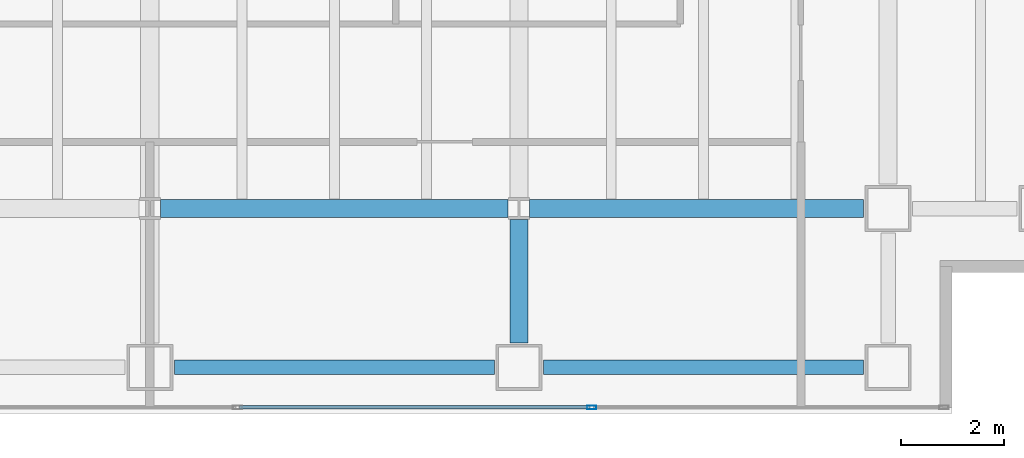
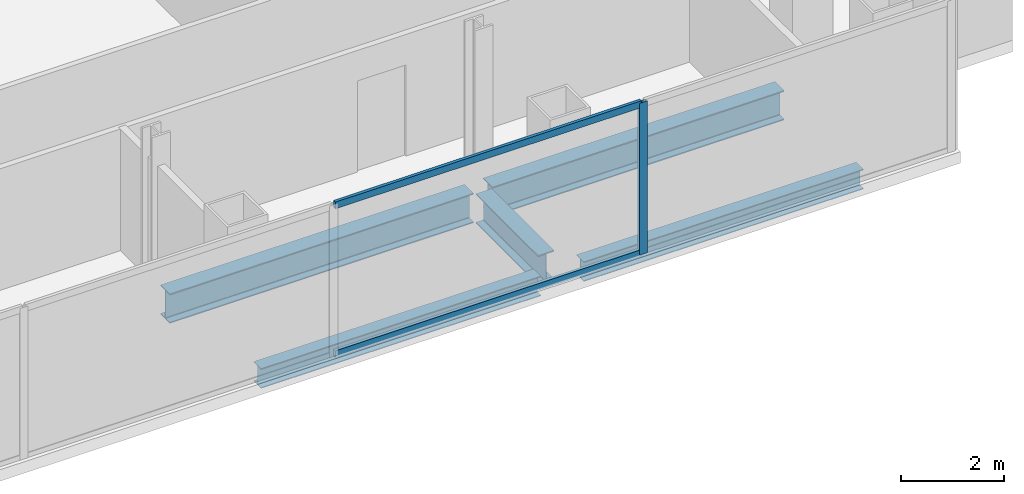
# One storey, part 9 of 23: 5 beams, 3 members, 1 element without a shape of its own.
"""IFC4 building model written with IfcOpenShell, lengths in metres."""

from ifc_helpers import new_model, si_unit, direction, frame, origin, origin_2d, place, context, subcontext, project, spatial, hollow_rectangle, i_section, extrude, material, material_profile, profile_set, type_object, element, aggregate, save


model = new_model("IFC4")

# Units and contexts
model_context = context("Model", 3, precision=1e-05, world=origin(), true_north=direction((0.0, 1.0)))
body_context = subcontext(model_context, "Body", "Model", "MODEL_VIEW")
ifc_project = project(units=[si_unit("LENGTHUNIT", "METRE"), si_unit("AREAUNIT", "SQUARE_METRE"), si_unit("VOLUMEUNIT", "CUBIC_METRE"), si_unit("PLANEANGLEUNIT", "RADIAN"), si_unit("MASSUNIT", "GRAM", prefix="KILO")], contexts=[model_context])

# Site, building, storey
site_placement = place(None, origin())
site = spatial("IfcSite", under=ifc_project, at=site_placement, CompositionType="ELEMENT")
building_placement = place(site_placement, origin())
building = spatial("IfcBuilding", under=site, at=building_placement, Name="Cobrela Telecom Tower", CompositionType="ELEMENT")
storey_placement = place(building_placement, frame((0.0, 0.0, 117.60009765625)))
storey = spatial("IfcBuildingStorey", under=building, at=storey_placement, Name="L29", CompositionType="ELEMENT", Elevation=117.60009765625)

# Beams
ifc_material_1 = material(Name="Steel ASTM A992 Grade 50", Category="steel")
ifc_material_profile_1 = material_profile(ifc_material_1, i_section(OverallWidth=0.35595703125, OverallDepth=0.696044921875, WebThickness=0.015380859375, FlangeThickness=0.024658203125, FilletRadius=0.01806640625, at=origin_2d()), Name="W27X146")
ifc_profile_set_1 = profile_set([ifc_material_profile_1], Name="Steel ASTM A992 Grade 50")
beam_type_1 = type_object("IfcBeamType", Name="BM-GIRD-05", PredefinedType="USERDEFINED", material=ifc_profile_set_1)
beam_1_placement = place(storey_placement, frame((29.009521484375, 7.199951171875, -0.6181640625), z_axis=(1.0, 0.0, 0.0), x_axis=(0.0, 1.0, 0.0)))
element("IfcBeam", 1, at=beam_1_placement, inside=storey, type_object=beam_type_1, Name="L29 Primary Girder X10", ObjectType="GIRDER", PredefinedType="USERDEFINED", context=body_context, shape_type="SweptSolid", body=[
    extrude(i_section(OverallWidth=0.35595703125, OverallDepth=0.696044921875, WebThickness=0.015380859375, FlangeThickness=0.024658203125, FilletRadius=0.01806640625, at=origin_2d()), origin(), (0.0, 0.0, 1.0), 6.781005859375),
])
beam_2_placement = place(storey_placement, frame((36.20947265625, 7.199951171875, -0.6181640625), z_axis=(1.0, 0.0, 0.0), x_axis=(0.0, 1.0, 0.0)))
element("IfcBeam", 2, at=beam_2_placement, inside=storey, type_object=beam_type_1, Name="L29 Primary Girder X11", ObjectType="GIRDER", PredefinedType="USERDEFINED", context=body_context, shape_type="SweptSolid", body=[
    extrude(i_section(OverallWidth=0.35595703125, OverallDepth=0.696044921875, WebThickness=0.015380859375, FlangeThickness=0.024658203125, FilletRadius=0.01806640625, at=origin_2d()), origin(), (0.0, 0.0, 1.0), 6.510498046875),
])
beam_3_placement = place(storey_placement, frame((36.0, 4.580078125, -0.6181640625), z_axis=(0.0, 1.0, 0.0), x_axis=(-1.0, 0.0, 0.0)))
element("IfcBeam", 3, at=beam_3_placement, inside=storey, type_object=beam_type_1, Name="L29 Primary Girder Y49", ObjectType="GIRDER", PredefinedType="USERDEFINED", context=body_context, shape_type="SweptSolid", body=[
    extrude(i_section(OverallWidth=0.35595703125, OverallDepth=0.696044921875, WebThickness=0.015380859375, FlangeThickness=0.024658203125, FilletRadius=0.01806640625, at=origin_2d()), origin(), (0.0, 0.0, 1.0), 2.410400390625),
])
ifc_material_profile_2 = material_profile(ifc_material_1, i_section(OverallWidth=0.281982421875, OverallDepth=0.467041015625, WebThickness=0.01220703125, FlangeThickness=0.01953125, FilletRadius=0.012939453125, at=origin_2d()), Name="W18X86")
ifc_profile_set_2 = profile_set([ifc_material_profile_2], Name="Steel ASTM A992 Grade 50")
beam_type_2 = type_object("IfcBeamType", Name="BM-SPAND-04", PredefinedType="SPANDREL", material=ifc_profile_set_2)
for number, where, z_axis, x_axis, name in (
    (4, (29.280029296875, 4.10009765625, -0.503662109375), (1.0, 0.0, 0.0), (0.0, 1.0, 0.0), "L29 Perimeter Spandrel X04"),
    (5, (36.47998046875, 4.10009765625, -0.503662109375), (1.0, 0.0, 0.0), (0.0, 1.0, 0.0), "L29 Perimeter Spandrel X05"),
):
    element("IfcBeam", number, at=place(storey_placement, frame(where, z_axis=z_axis, x_axis=x_axis)), inside=storey, type_object=beam_type_2, Name=name, PredefinedType="SPANDREL", context=body_context, shape_type="SweptSolid", body=[
        extrude(i_section(OverallWidth=0.281982421875, OverallDepth=0.467041015625, WebThickness=0.01220703125, FlangeThickness=0.01953125, FilletRadius=0.012939453125, at=origin_2d()), origin(), (0.0, 0.0, 1.0), 6.239990234375),
    ])

# Curtain wall, members
ifc_material_2 = material(Name="Anodized Bronze Aluminium 6063-T6", Category="aluminium")
curtain_wall_type = type_object("IfcCurtainWallType", Name="CW-SYS-TEL", PredefinedType="USERDEFINED", material=ifc_material_2)
curtain_wall_placement = place(storey_placement, origin())
curtain_wall = element("IfcCurtainWall", 6, at=curtain_wall_placement, inside=storey, type_object=curtain_wall_type, Name="L29 Unitised Bronze Curtain Wall 17", ObjectType="UNITISED CURTAIN WALL", PredefinedType="USERDEFINED")
ifc_material_profile_3 = material_profile(ifc_material_2, hollow_rectangle(XDim=0.074951171875, YDim=0.179931640625, WallThickness=0.00390625, at=origin_2d()), Name="ALU 75x180x4")
ifc_profile_set_3 = profile_set([ifc_material_profile_3], Name="Anodized Bronze Aluminium 6063-T6")
member_type_1 = type_object("IfcMemberType", Name="CW-SYS-TEL-MUL", PredefinedType="MULLION", material=ifc_profile_set_3)
member_1_placement = place(storey_placement, frame((37.419921875, 3.320068359375, 0.0), z_axis=(0.0, 0.0, 1.0), x_axis=(0.0, -1.0, 0.0)))
member_1 = element("IfcMember", 7, at=member_1_placement, type_object=member_type_1, Name="CW-TEL mullion 2", PredefinedType="MULLION", context=body_context, shape_type="SweptSolid", body=[
    extrude(hollow_rectangle(XDim=0.074951171875, YDim=0.179931640625, WallThickness=0.00390625, at=origin_2d()), origin(), (0.0, 0.0, 1.0), 3.579833984375),
])
ifc_material_profile_4 = material_profile(ifc_material_2, hollow_rectangle(XDim=0.070068359375, YDim=0.159912109375, WallThickness=0.00390625, at=origin_2d()), Name="ALU 70x160x4")
ifc_profile_set_4 = profile_set([ifc_material_profile_4], Name="Anodized Bronze Aluminium 6063-T6")
member_type_2 = type_object("IfcMemberType", Name="CW-SYS-TEL-TRN", PredefinedType="USERDEFINED", material=ifc_profile_set_4)
member_2_placement = place(storey_placement, frame((37.382568359375, 3.320068359375, 0.034912109375), z_axis=(-1.0, 0.0, 0.0), x_axis=(0.0, -1.0, 0.0)))
member_2 = element("IfcMember", 8, at=member_2_placement, type_object=member_type_2, Name="CW-TEL transom 2.1", ObjectType="TRANSOM", PredefinedType="USERDEFINED", context=body_context, shape_type="SweptSolid", body=[
    extrude(hollow_rectangle(XDim=0.070068359375, YDim=0.159912109375, WallThickness=0.00390625, at=origin_2d()), origin(), (0.0, 0.0, 1.0), 6.8349609375),
])
member_3_placement = place(storey_placement, frame((37.382568359375, 3.320068359375, 3.544921875), z_axis=(-1.0, 0.0, 0.0), x_axis=(0.0, -1.0, 0.0)))
member_3 = element("IfcMember", 9, at=member_3_placement, type_object=member_type_2, Name="CW-TEL transom 2.2", ObjectType="TRANSOM", PredefinedType="USERDEFINED", context=body_context, shape_type="SweptSolid", body=[
    extrude(hollow_rectangle(XDim=0.070068359375, YDim=0.159912109375, WallThickness=0.00390625, at=origin_2d()), origin(), (0.0, 0.0, 1.0), 6.8349609375),
])
aggregate(curtain_wall, [member_1, member_2, member_3])

save(model, "model.ifc")
